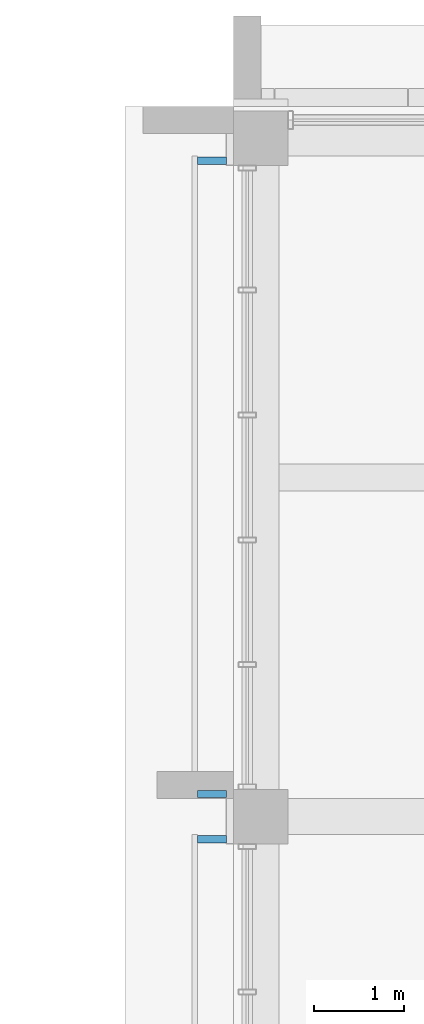
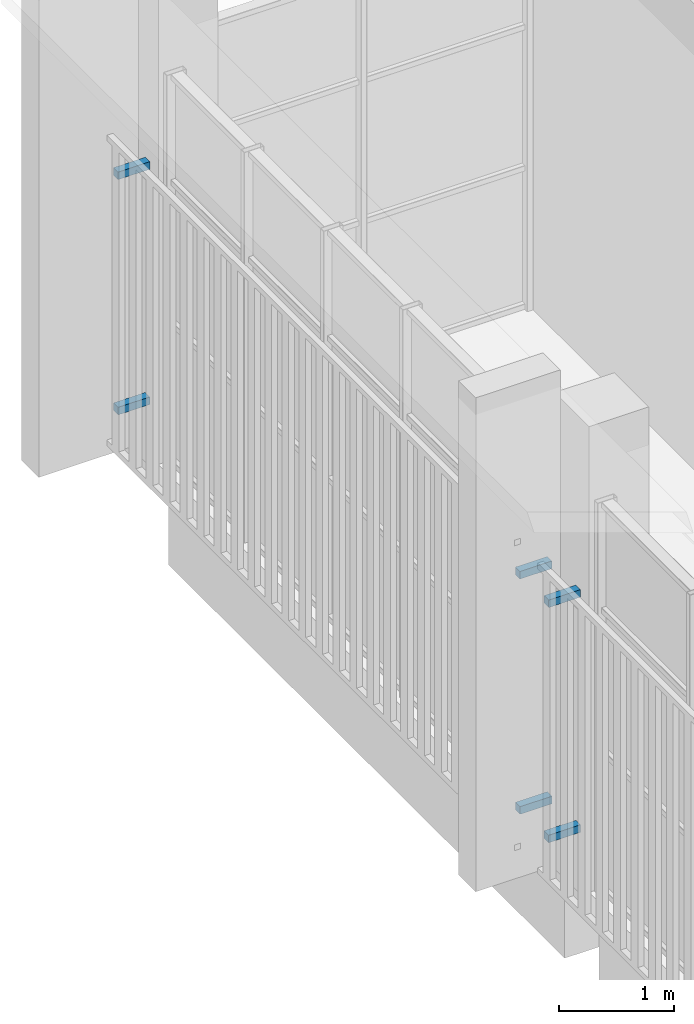
# One storey, part 88 of 125: 6 discrete accessories.
"""IFC4 building model written with IfcOpenShell, lengths in metres."""

from ifc_helpers import new_model, si_unit, direction, frame, origin, origin_2d, place, context, subcontext, project, spatial, rectangle, extrude, material, type_object, element, save


model = new_model("IFC4")

# Units and contexts
model_context = context("Model", 3, precision=1e-05, world=origin(), true_north=direction((0.0, 1.0)))
body_context = subcontext(model_context, "Body", "Model", "MODEL_VIEW")
ifc_project = project(units=[si_unit("LENGTHUNIT", "METRE"), si_unit("AREAUNIT", "SQUARE_METRE"), si_unit("VOLUMEUNIT", "CUBIC_METRE"), si_unit("PLANEANGLEUNIT", "RADIAN"), si_unit("MASSUNIT", "GRAM", prefix="KILO")], contexts=[model_context])

# Site, building, storey
site_placement = place(None, origin())
site = spatial("IfcSite", under=ifc_project, at=site_placement, CompositionType="ELEMENT")
building_placement = place(site_placement, origin())
building = spatial("IfcBuilding", under=site, at=building_placement, Name="Sun Court Science Centre", CompositionType="ELEMENT")
storey_placement = place(building_placement, frame((0.0, 0.0, 6.0)))
storey = spatial("IfcBuildingStorey", under=building, at=storey_placement, Name="L01", CompositionType="ELEMENT", Elevation=6.0)

# Discrete accessories
ifc_material = material(Name="Stainless steel", Category="steel")
discrete_accessory_type = type_object("IfcDiscreteAccessoryType", Name="Jali screen bracket", PredefinedType="BRACKET", material=ifc_material)
for number, where, z_axis, x_axis, name in (
    (1, (77.760009765625, 72.89990234375, 0.659912109375), (0.0, 0.0, 1.0), (0.0, 1.0, 0.0), "Jali screen bracket west face L01 08"),
    (2, (77.760009765625, 72.89990234375, 3.159912109375), (0.0, 0.0, 1.0), (0.0, 1.0, 0.0), "Jali screen bracket west face L01 08"),
    (3, (77.760009765625, 73.39990234375, 0.659912109375), (0.0, 0.0, 1.0), (0.0, 1.0, 0.0), "Jali screen bracket west face L01 09"),
    (4, (77.760009765625, 80.39990234375, 0.659912109375), (0.0, 0.0, 1.0), (0.0, 1.0, 0.0), "Jali screen bracket west face L01 09"),
    (5, (77.760009765625, 73.39990234375, 3.159912109375), (0.0, 0.0, 1.0), (0.0, 1.0, 0.0), "Jali screen bracket west face L01 09"),
    (6, (77.760009765625, 80.39990234375, 3.159912109375), (0.0, 0.0, 1.0), (0.0, 1.0, 0.0), "Jali screen bracket west face L01 09"),
):
    element("IfcDiscreteAccessory", number, at=place(storey_placement, frame(where, z_axis=z_axis, x_axis=x_axis)), inside=storey, type_object=discrete_accessory_type, Name=name, PredefinedType="BRACKET", context=body_context, shape_type="SweptSolid", body=[
        extrude(rectangle(XDim=0.080078125, YDim=0.320068359375, at=origin_2d()), origin(), (0.0, 0.0, 1.0), 0.080078125),
    ])

save(model, "model.ifc")
